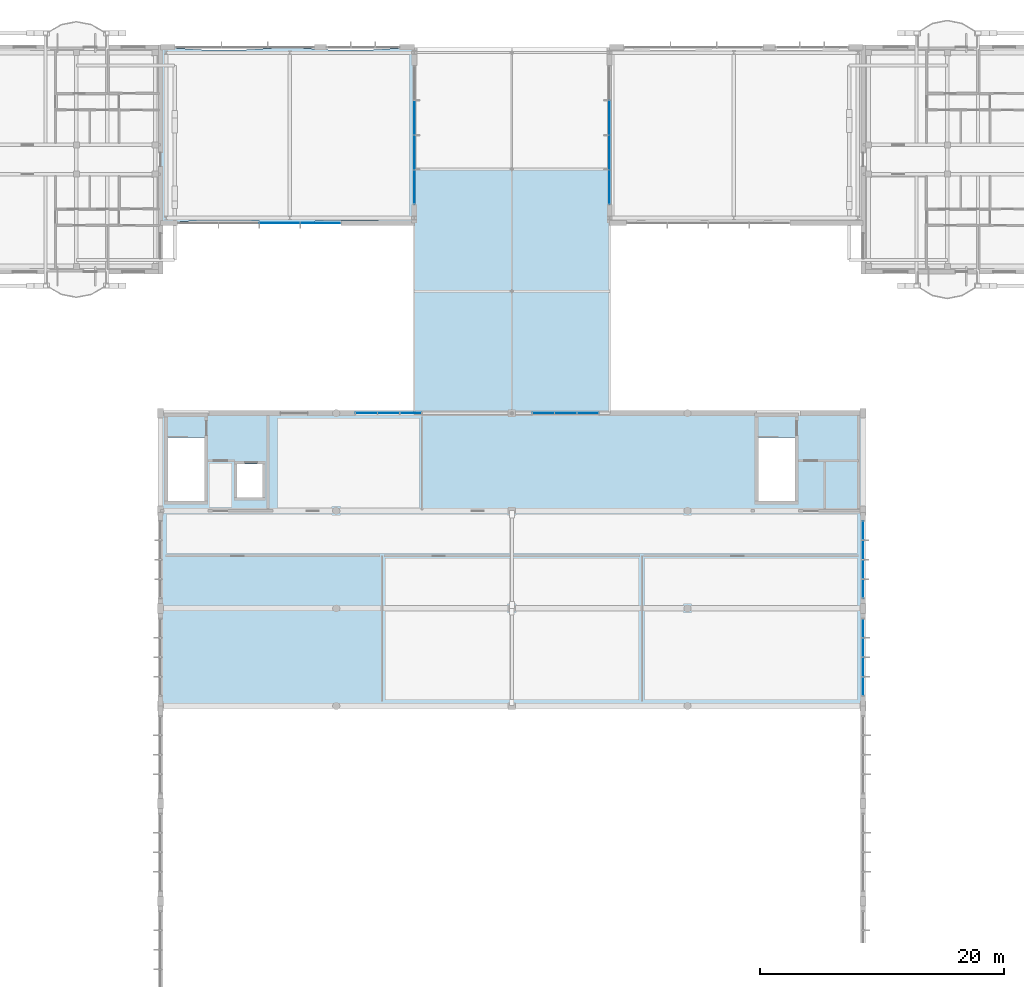
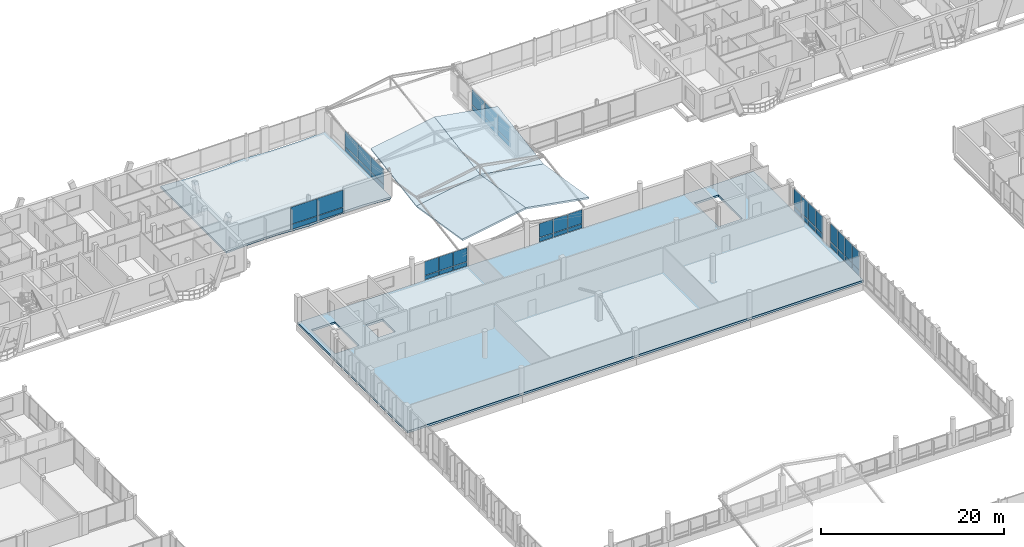
# One storey, part 129 of 189: 44 plates, 6 slabs, 7 elements without a shape of their own.
"""IFC4 building model written with IfcOpenShell, lengths in metres."""

from ifc_helpers import new_model, si_unit, direction, frame, origin, origin_2d, place, context, subcontext, project, spatial, polyline, rectangle, outline, extrude, material, layer, layer_set, type_object, element, aggregate, save


model = new_model("IFC4")

# Units and contexts
model_context = context("Model", 3, precision=1e-05, world=origin(), true_north=direction((0.0, 1.0)))
body_context = subcontext(model_context, "Body", "Model", "MODEL_VIEW")
ifc_project = project(units=[si_unit("LENGTHUNIT", "METRE"), si_unit("AREAUNIT", "SQUARE_METRE"), si_unit("VOLUMEUNIT", "CUBIC_METRE"), si_unit("PLANEANGLEUNIT", "RADIAN"), si_unit("MASSUNIT", "GRAM", prefix="KILO")], contexts=[model_context])

# Site, building, storey
site_placement = place(None, origin())
site = spatial("IfcSite", under=ifc_project, at=site_placement, CompositionType="ELEMENT")
building_placement = place(site_placement, origin())
building = spatial("IfcBuilding", under=site, at=building_placement, Name="Zavelmont Quarter", CompositionType="ELEMENT")
storey_placement = place(building_placement, frame((0.0, 0.0, 4.39990234375)))
storey = spatial("IfcBuildingStorey", under=building, at=storey_placement, Name="L01", CompositionType="ELEMENT", Elevation=4.39990234375)

# Curtain wall, plates
ifc_material_1 = material(Name="Thermally broken aluminium and double low-E safety glazing", Category="aluminium")
curtain_wall_type_1 = type_object("IfcCurtainWallType", Name="CW-640X314", PredefinedType="NOTDEFINED", material=ifc_material_1)
curtain_wall_1_placement = place(storey_placement, origin())
curtain_wall_1 = element("IfcCurtainWall", 1, at=curtain_wall_1_placement, inside=storey, type_object=curtain_wall_type_1, Name="L01 unitised curtain wall CW-640X314", PredefinedType="NOTDEFINED")
ifc_material_2 = material(Name="Insulated anodised-aluminium spandrel panel", Category="aluminium")
ifc_layer_1 = layer(ifc_material_2, 0.0400390625)
ifc_layer_set_1 = layer_set([ifc_layer_1], Name="Insulated anodised-aluminium spandrel panel")
plate_type_1 = type_object("IfcPlateType", Name="CWP-SPD-1495X650", PredefinedType="CURTAIN_PANEL", material=ifc_layer_set_1)
plate_1_placement = place(storey_placement, frame((112.800048828125, 71.617431640625, 0.070068359375), z_axis=(0.0, 0.0, 1.0), x_axis=(0.0, 1.0, 0.0)))
plate_1 = element("IfcPlate", 2, at=plate_1_placement, type_object=plate_type_1, Name="CW-640X314 panel 1.1", PredefinedType="CURTAIN_PANEL", context=body_context, shape_type="SweptSolid", body=[
    extrude(rectangle(XDim=1.4951171875, YDim=0.0400390625, at=origin_2d()), origin(), (0.0, 0.0, 1.0), 0.64990234375),
])
plate_2_placement = place(storey_placement, frame((112.800048828125, 76.382568359375, 0.070068359375), z_axis=(0.0, 0.0, 1.0), x_axis=(0.0, 1.0, 0.0)))
plate_2 = element("IfcPlate", 3, at=plate_2_placement, type_object=plate_type_1, Name="CW-640X314 panel 4.1", PredefinedType="CURTAIN_PANEL", context=body_context, shape_type="SweptSolid", body=[
    extrude(rectangle(XDim=1.4951171875, YDim=0.0400390625, at=origin_2d()), origin(), (0.0, 0.0, 1.0), 0.64990234375),
])

curtain_wall_type_2 = type_object("IfcCurtainWallType", Name="CW-640X334", PredefinedType="NOTDEFINED", material=ifc_material_1)
curtain_wall_2_placement = place(storey_placement, origin())
curtain_wall_2 = element("IfcCurtainWall", 4, at=curtain_wall_2_placement, inside=storey, type_object=curtain_wall_type_2, Name="L01 unitised curtain wall CW-640X334", PredefinedType="NOTDEFINED")
ifc_layer_2 = layer(ifc_material_2, 0.0400390625)
ifc_layer_set_2 = layer_set([ifc_layer_2], Name="Insulated anodised-aluminium spandrel panel")
plate_type_2 = type_object("IfcPlateType", Name="CWP-SPD-1495X695", PredefinedType="CURTAIN_PANEL", material=ifc_layer_set_2)
plate_3_placement = place(storey_placement, frame((112.800048828125, 63.617431640625, 0.0703125), z_axis=(0.0, 0.0, 1.0), x_axis=(0.0, 1.0, 0.0)))
plate_3 = element("IfcPlate", 5, at=plate_3_placement, type_object=plate_type_2, Name="CW-640X334 panel 1.1", PredefinedType="CURTAIN_PANEL", context=body_context, shape_type="SweptSolid", body=[
    extrude(rectangle(XDim=1.4951171875, YDim=0.0400390625, at=origin_2d()), origin(), (0.0, 0.0, 1.0), 0.697021484375),
])
plate_4_placement = place(storey_placement, frame((112.800048828125, 68.382568359375, 0.0703125), z_axis=(0.0, 0.0, 1.0), x_axis=(0.0, 1.0, 0.0)))
plate_4 = element("IfcPlate", 6, at=plate_4_placement, type_object=plate_type_2, Name="CW-640X334 panel 4.1", PredefinedType="CURTAIN_PANEL", context=body_context, shape_type="SweptSolid", body=[
    extrude(rectangle(XDim=1.4951171875, YDim=0.0400390625, at=origin_2d()), origin(), (0.0, 0.0, 1.0), 0.697021484375),
])

# Plate
ifc_layer_3 = layer(ifc_material_2, 0.0400390625)
ifc_layer_set_3 = layer_set([ifc_layer_3], Name="Insulated anodised-aluminium spandrel panel")
plate_type_3 = type_object("IfcPlateType", Name="CWP-SPD-1530X650", PredefinedType="CURTAIN_PANEL", material=ifc_layer_set_3)
plate_5_placement = place(storey_placement, frame((112.800048828125, 73.199951171875, 0.070068359375), z_axis=(0.0, 0.0, 1.0), x_axis=(0.0, 1.0, 0.0)))
plate_5 = element("IfcPlate", 7, at=plate_5_placement, type_object=plate_type_3, Name="CW-640X314 panel 2.1", PredefinedType="CURTAIN_PANEL", context=body_context, shape_type="SweptSolid", body=[
    extrude(rectangle(XDim=1.530029296875, YDim=0.0400390625, at=origin_2d()), origin(), (0.0, 0.0, 1.0), 0.64990234375),
])

plate_6_placement = place(storey_placement, frame((112.800048828125, 74.800048828125, 0.070068359375), z_axis=(0.0, 0.0, 1.0), x_axis=(0.0, 1.0, 0.0)))
plate_6 = element("IfcPlate", 8, at=plate_6_placement, type_object=plate_type_3, Name="CW-640X314 panel 3.1", PredefinedType="CURTAIN_PANEL", context=body_context, shape_type="SweptSolid", body=[
    extrude(rectangle(XDim=1.530029296875, YDim=0.0400390625, at=origin_2d()), origin(), (0.0, 0.0, 1.0), 0.64990234375),
])

ifc_layer_4 = layer(ifc_material_2, 0.0400390625)
ifc_layer_set_4 = layer_set([ifc_layer_4], Name="Insulated anodised-aluminium spandrel panel")
plate_type_4 = type_object("IfcPlateType", Name="CWP-SPD-1530X695", PredefinedType="CURTAIN_PANEL", material=ifc_layer_set_4)
plate_7_placement = place(storey_placement, frame((112.800048828125, 65.199951171875, 0.0703125), z_axis=(0.0, 0.0, 1.0), x_axis=(0.0, 1.0, 0.0)))
plate_7 = element("IfcPlate", 9, at=plate_7_placement, type_object=plate_type_4, Name="CW-640X334 panel 2.1", PredefinedType="CURTAIN_PANEL", context=body_context, shape_type="SweptSolid", body=[
    extrude(rectangle(XDim=1.530029296875, YDim=0.0400390625, at=origin_2d()), origin(), (0.0, 0.0, 1.0), 0.697021484375),
])

plate_8_placement = place(storey_placement, frame((112.800048828125, 66.800048828125, 0.0703125), z_axis=(0.0, 0.0, 1.0), x_axis=(0.0, 1.0, 0.0)))
plate_8 = element("IfcPlate", 10, at=plate_8_placement, type_object=plate_type_4, Name="CW-640X334 panel 3.1", PredefinedType="CURTAIN_PANEL", context=body_context, shape_type="SweptSolid", body=[
    extrude(rectangle(XDim=1.530029296875, YDim=0.0400390625, at=origin_2d()), origin(), (0.0, 0.0, 1.0), 0.697021484375),
])

# Curtain wall, plates
curtain_wall_type_3 = type_object("IfcCurtainWallType", Name="CW-550X254", PredefinedType="NOTDEFINED", material=ifc_material_1)
curtain_wall_3_placement = place(storey_placement, origin())
curtain_wall_3 = element("IfcCurtainWall", 11, at=curtain_wall_3_placement, inside=storey, type_object=curtain_wall_type_3, Name="L01 unitised curtain wall CW-550X254", PredefinedType="NOTDEFINED")
ifc_layer_5 = layer(ifc_material_2, 0.0400390625)
ifc_layer_set_5 = layer_set([ifc_layer_5], Name="Insulated anodised-aluminium spandrel panel")
plate_type_5 = type_object("IfcPlateType", Name="CWP-SPD-1745X520", PredefinedType="CURTAIN_PANEL", material=ifc_layer_set_5)
plate_9_placement = place(storey_placement, frame((72.081787109375, 86.0, 0.06005859375), z_axis=(0.0, 0.0, 1.0), x_axis=(1.0, 0.0, 0.0)))
plate_9 = element("IfcPlate", 12, at=plate_9_placement, type_object=plate_type_5, Name="CW-550X254 panel 1.1", PredefinedType="CURTAIN_PANEL", context=body_context, shape_type="SweptSolid", body=[
    extrude(rectangle(XDim=1.743408203125, YDim=0.0400390625, at=origin_2d()), origin(), (0.0, 0.0, 1.0), 0.52099609375),
])
plate_10_placement = place(storey_placement, frame((75.71826171875, 86.0, 0.06005859375), z_axis=(0.0, 0.0, 1.0), x_axis=(1.0, 0.0, 0.0)))
plate_10 = element("IfcPlate", 13, at=plate_10_placement, type_object=plate_type_5, Name="CW-550X254 panel 3.1", PredefinedType="CURTAIN_PANEL", context=body_context, shape_type="SweptSolid", body=[
    extrude(rectangle(XDim=1.743408203125, YDim=0.0400390625, at=origin_2d()), origin(), (0.0, 0.0, 1.0), 0.52099609375),
])

curtain_wall_4_placement = place(storey_placement, origin())
curtain_wall_4 = element("IfcCurtainWall", 14, at=curtain_wall_4_placement, inside=storey, type_object=curtain_wall_type_3, Name="L01 unitised curtain wall CW-550X254", PredefinedType="NOTDEFINED")
plate_11_placement = place(storey_placement, frame((86.581787109375, 86.0, 0.06005859375), z_axis=(0.0, 0.0, 1.0), x_axis=(1.0, 0.0, 0.0)))
plate_11 = element("IfcPlate", 15, at=plate_11_placement, type_object=plate_type_5, Name="CW-550X254 panel 1.1", PredefinedType="CURTAIN_PANEL", context=body_context, shape_type="SweptSolid", body=[
    extrude(rectangle(XDim=1.743408203125, YDim=0.0400390625, at=origin_2d()), origin(), (0.0, 0.0, 1.0), 0.52099609375),
])
plate_12_placement = place(storey_placement, frame((90.21826171875, 86.0, 0.06005859375), z_axis=(0.0, 0.0, 1.0), x_axis=(1.0, 0.0, 0.0)))
plate_12 = element("IfcPlate", 16, at=plate_12_placement, type_object=plate_type_5, Name="CW-550X254 panel 3.1", PredefinedType="CURTAIN_PANEL", context=body_context, shape_type="SweptSolid", body=[
    extrude(rectangle(XDim=1.743408203125, YDim=0.0400390625, at=origin_2d()), origin(), (0.0, 0.0, 1.0), 0.52099609375),
])

# Plate
ifc_layer_6 = layer(ifc_material_2, 0.0400390625)
ifc_layer_set_6 = layer_set([ifc_layer_6], Name="Insulated anodised-aluminium spandrel panel")
plate_type_6 = type_object("IfcPlateType", Name="CWP-SPD-1775X520", PredefinedType="CURTAIN_PANEL", material=ifc_layer_set_6)
plate_13_placement = place(storey_placement, frame((73.89990234375, 86.0, 0.06005859375), z_axis=(0.0, 0.0, 1.0), x_axis=(1.0, 0.0, 0.0)))
plate_13 = element("IfcPlate", 17, at=plate_13_placement, type_object=plate_type_6, Name="CW-550X254 panel 2.1", PredefinedType="CURTAIN_PANEL", context=body_context, shape_type="SweptSolid", body=[
    extrude(rectangle(XDim=1.7734375, YDim=0.0400390625, at=origin_2d()), origin(), (0.0, 0.0, 1.0), 0.52099609375),
])

plate_14_placement = place(storey_placement, frame((88.39990234375, 86.0, 0.06005859375), z_axis=(0.0, 0.0, 1.0), x_axis=(1.0, 0.0, 0.0)))
plate_14 = element("IfcPlate", 18, at=plate_14_placement, type_object=plate_type_6, Name="CW-550X254 panel 2.1", PredefinedType="CURTAIN_PANEL", context=body_context, shape_type="SweptSolid", body=[
    extrude(rectangle(XDim=1.7734375, YDim=0.0400390625, at=origin_2d()), origin(), (0.0, 0.0, 1.0), 0.52099609375),
])

# Curtain wall, plate
curtain_wall_type_4 = type_object("IfcCurtainWallType", Name="CW-1140X280", PredefinedType="NOTDEFINED", material=ifc_material_1)
curtain_wall_5_placement = place(storey_placement, origin())
curtain_wall_5 = element("IfcCurtainWall", 19, at=curtain_wall_5_placement, inside=storey, type_object=curtain_wall_type_4, Name="L01 unitised curtain wall CW-1140X280", PredefinedType="NOTDEFINED")
ifc_layer_7 = layer(ifc_material_2, 0.0400390625)
ifc_layer_set_7 = layer_set([ifc_layer_7], Name="Insulated anodised-aluminium spandrel panel")
plate_type_7 = type_object("IfcPlateType", Name="CWP-SPD-2760X580", PredefinedType="CURTAIN_PANEL", material=ifc_layer_set_7)
plate_15_placement = place(storey_placement, frame((76.0, 104.5400390625, 0.06005859375), z_axis=(0.0, 0.0, 1.0), x_axis=(0.0, 1.0, 0.0)))
plate_15 = element("IfcPlate", 20, at=plate_15_placement, type_object=plate_type_7, Name="CW-1140X280 panel 1.1", PredefinedType="CURTAIN_PANEL", context=body_context, shape_type="SweptSolid", body=[
    extrude(rectangle(XDim=2.760009765625, YDim=0.0400390625, at=origin_2d()), origin(), (0.0, 0.0, 1.0), 0.58203125),
])

curtain_wall_6_placement = place(storey_placement, origin())
curtain_wall_6 = element("IfcCurtainWall", 21, at=curtain_wall_6_placement, inside=storey, type_object=curtain_wall_type_4, Name="L01 unitised curtain wall CW-1140X280", PredefinedType="NOTDEFINED")
plate_16_placement = place(storey_placement, frame((92.0, 104.5400390625, 0.06005859375), z_axis=(0.0, 0.0, 1.0), x_axis=(0.0, 1.0, 0.0)))
plate_16 = element("IfcPlate", 22, at=plate_16_placement, type_object=plate_type_7, Name="CW-1140X280 panel 1.1", PredefinedType="CURTAIN_PANEL", context=body_context, shape_type="SweptSolid", body=[
    extrude(rectangle(XDim=2.760009765625, YDim=0.0400390625, at=origin_2d()), origin(), (0.0, 0.0, 1.0), 0.58203125),
])

# Plate
ifc_layer_8 = layer(ifc_material_2, 0.0400390625)
ifc_layer_set_8 = layer_set([ifc_layer_8], Name="Insulated anodised-aluminium spandrel panel")
plate_type_8 = type_object("IfcPlateType", Name="CWP-SPD-2790X580", PredefinedType="CURTAIN_PANEL", material=ifc_layer_set_8)
plate_17_placement = place(storey_placement, frame((76.0, 107.375, 0.06005859375), z_axis=(0.0, 0.0, 1.0), x_axis=(0.0, 1.0, 0.0)))
plate_17 = element("IfcPlate", 23, at=plate_17_placement, type_object=plate_type_8, Name="CW-1140X280 panel 2.1", PredefinedType="CURTAIN_PANEL", context=body_context, shape_type="SweptSolid", body=[
    extrude(rectangle(XDim=2.7900390625, YDim=0.0400390625, at=origin_2d()), origin(), (0.0, 0.0, 1.0), 0.58203125),
])

plate_18_placement = place(storey_placement, frame((76.0, 110.22509765625, 0.06005859375), z_axis=(0.0, 0.0, 1.0), x_axis=(0.0, 1.0, 0.0)))
plate_18 = element("IfcPlate", 24, at=plate_18_placement, type_object=plate_type_8, Name="CW-1140X280 panel 3.1", PredefinedType="CURTAIN_PANEL", context=body_context, shape_type="SweptSolid", body=[
    extrude(rectangle(XDim=2.7900390625, YDim=0.0400390625, at=origin_2d()), origin(), (0.0, 0.0, 1.0), 0.58203125),
])

plate_19_placement = place(storey_placement, frame((92.0, 107.375, 0.06005859375), z_axis=(0.0, 0.0, 1.0), x_axis=(0.0, 1.0, 0.0)))
plate_19 = element("IfcPlate", 25, at=plate_19_placement, type_object=plate_type_8, Name="CW-1140X280 panel 2.1", PredefinedType="CURTAIN_PANEL", context=body_context, shape_type="SweptSolid", body=[
    extrude(rectangle(XDim=2.7900390625, YDim=0.0400390625, at=origin_2d()), origin(), (0.0, 0.0, 1.0), 0.58203125),
])

plate_20_placement = place(storey_placement, frame((92.0, 110.22509765625, 0.06005859375), z_axis=(0.0, 0.0, 1.0), x_axis=(0.0, 1.0, 0.0)))
plate_20 = element("IfcPlate", 26, at=plate_20_placement, type_object=plate_type_8, Name="CW-1140X280 panel 3.1", PredefinedType="CURTAIN_PANEL", context=body_context, shape_type="SweptSolid", body=[
    extrude(rectangle(XDim=2.7900390625, YDim=0.0400390625, at=origin_2d()), origin(), (0.0, 0.0, 1.0), 0.58203125),
])

# Curtain wall, plates
curtain_wall_type_5 = type_object("IfcCurtainWallType", Name="CW-1340X310", PredefinedType="NOTDEFINED", material=ifc_material_1)
curtain_wall_7_placement = place(storey_placement, origin())
curtain_wall_7 = element("IfcCurtainWall", 27, at=curtain_wall_7_placement, inside=storey, type_object=curtain_wall_type_5, Name="L01 unitised curtain wall CW-1340X310", PredefinedType="NOTDEFINED")
ifc_layer_9 = layer(ifc_material_2, 0.0400390625)
ifc_layer_set_9 = layer_set([ifc_layer_9], Name="Insulated anodised-aluminium spandrel panel")
plate_type_9 = type_object("IfcPlateType", Name="CWP-SPD-3260X655", PredefinedType="CURTAIN_PANEL", material=ifc_layer_set_9)
plate_21_placement = place(storey_placement, frame((68.31005859375, 101.60009765625, 0.06005859375), z_axis=(0.0, 0.0, 1.0), x_axis=(1.0, 0.0, 0.0)))
plate_21 = element("IfcPlate", 28, at=plate_21_placement, type_object=plate_type_9, Name="CW-1340X310 panel 4.1", PredefinedType="CURTAIN_PANEL", context=body_context, shape_type="SweptSolid", body=[
    extrude(rectangle(XDim=3.260009765625, YDim=0.0400390625, at=origin_2d()), origin(), (0.0, 0.0, 1.0), 0.654052734375),
])
ifc_layer_10 = layer(ifc_material_2, 0.0400390625)
ifc_layer_set_10 = layer_set([ifc_layer_10], Name="Insulated anodised-aluminium spandrel panel")
plate_type_10 = type_object("IfcPlateType", Name="CWP-SPD-3290X655", PredefinedType="CURTAIN_PANEL", material=ifc_layer_set_10)
plate_22_placement = place(storey_placement, frame((64.97509765625, 101.60009765625, 0.06005859375), z_axis=(0.0, 0.0, 1.0), x_axis=(1.0, 0.0, 0.0)))
plate_22 = element("IfcPlate", 29, at=plate_22_placement, type_object=plate_type_10, Name="CW-1340X310 panel 3.1", PredefinedType="CURTAIN_PANEL", context=body_context, shape_type="SweptSolid", body=[
    extrude(rectangle(XDim=3.2900390625, YDim=0.0400390625, at=origin_2d()), origin(), (0.0, 0.0, 1.0), 0.654052734375),
])

# Plate
ifc_material_3 = material(Name="Double low-E insulated vision glass", Category="glass")
ifc_layer_11 = layer(ifc_material_3, 0.028076171875)
ifc_layer_set_11 = layer_set([ifc_layer_11], Name="Double low-E insulated vision glass")
plate_type_11 = type_object("IfcPlateType", Name="CWP-VIS-1495X2285", PredefinedType="CURTAIN_PANEL", material=ifc_layer_set_11)
plate_23_placement = place(storey_placement, frame((112.800048828125, 71.617431640625, 0.7900390625), z_axis=(0.0, 0.0, 1.0), x_axis=(0.0, 1.0, 0.0)))
plate_23 = element("IfcPlate", 30, at=plate_23_placement, type_object=plate_type_11, Name="CW-640X314 panel 1.2", PredefinedType="CURTAIN_PANEL", context=body_context, shape_type="SweptSolid", body=[
    extrude(rectangle(XDim=1.4951171875, YDim=0.028076171875, at=origin_2d()), origin(), (0.0, 0.0, 1.0), 2.284912109375),
])

plate_24_placement = place(storey_placement, frame((112.800048828125, 76.382568359375, 0.7900390625), z_axis=(0.0, 0.0, 1.0), x_axis=(0.0, 1.0, 0.0)))
plate_24 = element("IfcPlate", 31, at=plate_24_placement, type_object=plate_type_11, Name="CW-640X314 panel 4.2", PredefinedType="CURTAIN_PANEL", context=body_context, shape_type="SweptSolid", body=[
    extrude(rectangle(XDim=1.4951171875, YDim=0.028076171875, at=origin_2d()), origin(), (0.0, 0.0, 1.0), 2.284912109375),
])

ifc_layer_12 = layer(ifc_material_3, 0.028076171875)
ifc_layer_set_12 = layer_set([ifc_layer_12], Name="Double low-E insulated vision glass")
plate_type_12 = type_object("IfcPlateType", Name="CWP-VIS-1495X2435", PredefinedType="CURTAIN_PANEL", material=ifc_layer_set_12)
plate_25_placement = place(storey_placement, frame((112.800048828125, 63.617431640625, 0.837158203125), z_axis=(0.0, 0.0, 1.0), x_axis=(0.0, 1.0, 0.0)))
plate_25 = element("IfcPlate", 32, at=plate_25_placement, type_object=plate_type_12, Name="CW-640X334 panel 1.2", PredefinedType="CURTAIN_PANEL", context=body_context, shape_type="SweptSolid", body=[
    extrude(rectangle(XDim=1.4951171875, YDim=0.028076171875, at=origin_2d()), origin(), (0.0, 0.0, 1.0), 2.43310546875),
])

plate_26_placement = place(storey_placement, frame((112.800048828125, 68.382568359375, 0.837158203125), z_axis=(0.0, 0.0, 1.0), x_axis=(0.0, 1.0, 0.0)))
plate_26 = element("IfcPlate", 33, at=plate_26_placement, type_object=plate_type_12, Name="CW-640X334 panel 4.2", PredefinedType="CURTAIN_PANEL", context=body_context, shape_type="SweptSolid", body=[
    extrude(rectangle(XDim=1.4951171875, YDim=0.028076171875, at=origin_2d()), origin(), (0.0, 0.0, 1.0), 2.43310546875),
])

ifc_layer_13 = layer(ifc_material_3, 0.028076171875)
ifc_layer_set_13 = layer_set([ifc_layer_13], Name="Double low-E insulated vision glass")
plate_type_13 = type_object("IfcPlateType", Name="CWP-VIS-1530X2285", PredefinedType="CURTAIN_PANEL", material=ifc_layer_set_13)
plate_27_placement = place(storey_placement, frame((112.800048828125, 73.199951171875, 0.7900390625), z_axis=(0.0, 0.0, 1.0), x_axis=(0.0, 1.0, 0.0)))
plate_27 = element("IfcPlate", 34, at=plate_27_placement, type_object=plate_type_13, Name="CW-640X314 panel 2.2", PredefinedType="CURTAIN_PANEL", context=body_context, shape_type="SweptSolid", body=[
    extrude(rectangle(XDim=1.530029296875, YDim=0.028076171875, at=origin_2d()), origin(), (0.0, 0.0, 1.0), 2.284912109375),
])

plate_28_placement = place(storey_placement, frame((112.800048828125, 74.800048828125, 0.7900390625), z_axis=(0.0, 0.0, 1.0), x_axis=(0.0, 1.0, 0.0)))
plate_28 = element("IfcPlate", 35, at=plate_28_placement, type_object=plate_type_13, Name="CW-640X314 panel 3.2", PredefinedType="CURTAIN_PANEL", context=body_context, shape_type="SweptSolid", body=[
    extrude(rectangle(XDim=1.530029296875, YDim=0.028076171875, at=origin_2d()), origin(), (0.0, 0.0, 1.0), 2.284912109375),
])

aggregate(curtain_wall_1, [plate_1, plate_23, plate_5, plate_27, plate_6, plate_28, plate_2, plate_24])

ifc_layer_14 = layer(ifc_material_3, 0.028076171875)
ifc_layer_set_14 = layer_set([ifc_layer_14], Name="Double low-E insulated vision glass")
plate_type_14 = type_object("IfcPlateType", Name="CWP-VIS-1530X2435", PredefinedType="CURTAIN_PANEL", material=ifc_layer_set_14)
plate_29_placement = place(storey_placement, frame((112.800048828125, 65.199951171875, 0.837158203125), z_axis=(0.0, 0.0, 1.0), x_axis=(0.0, 1.0, 0.0)))
plate_29 = element("IfcPlate", 36, at=plate_29_placement, type_object=plate_type_14, Name="CW-640X334 panel 2.2", PredefinedType="CURTAIN_PANEL", context=body_context, shape_type="SweptSolid", body=[
    extrude(rectangle(XDim=1.530029296875, YDim=0.028076171875, at=origin_2d()), origin(), (0.0, 0.0, 1.0), 2.43310546875),
])

plate_30_placement = place(storey_placement, frame((112.800048828125, 66.800048828125, 0.837158203125), z_axis=(0.0, 0.0, 1.0), x_axis=(0.0, 1.0, 0.0)))
plate_30 = element("IfcPlate", 37, at=plate_30_placement, type_object=plate_type_14, Name="CW-640X334 panel 3.2", PredefinedType="CURTAIN_PANEL", context=body_context, shape_type="SweptSolid", body=[
    extrude(rectangle(XDim=1.530029296875, YDim=0.028076171875, at=origin_2d()), origin(), (0.0, 0.0, 1.0), 2.43310546875),
])

aggregate(curtain_wall_2, [plate_3, plate_25, plate_7, plate_29, plate_8, plate_30, plate_4, plate_26])

ifc_layer_15 = layer(ifc_material_3, 0.028076171875)
ifc_layer_set_15 = layer_set([ifc_layer_15], Name="Double low-E insulated vision glass")
plate_type_15 = type_object("IfcPlateType", Name="CWP-VIS-1745X1845", PredefinedType="CURTAIN_PANEL", material=ifc_layer_set_15)
plate_31_placement = place(storey_placement, frame((72.081787109375, 86.0, 0.64111328125), z_axis=(0.0, 0.0, 1.0), x_axis=(1.0, 0.0, 0.0)))
plate_31 = element("IfcPlate", 38, at=plate_31_placement, type_object=plate_type_15, Name="CW-550X254 panel 1.2", PredefinedType="CURTAIN_PANEL", context=body_context, shape_type="SweptSolid", body=[
    extrude(rectangle(XDim=1.743408203125, YDim=0.028076171875, at=origin_2d()), origin(), (0.0, 0.0, 1.0), 1.843994140625),
])

plate_32_placement = place(storey_placement, frame((75.71826171875, 86.0, 0.64111328125), z_axis=(0.0, 0.0, 1.0), x_axis=(1.0, 0.0, 0.0)))
plate_32 = element("IfcPlate", 39, at=plate_32_placement, type_object=plate_type_15, Name="CW-550X254 panel 3.2", PredefinedType="CURTAIN_PANEL", context=body_context, shape_type="SweptSolid", body=[
    extrude(rectangle(XDim=1.743408203125, YDim=0.028076171875, at=origin_2d()), origin(), (0.0, 0.0, 1.0), 1.843994140625),
])

plate_33_placement = place(storey_placement, frame((86.581787109375, 86.0, 0.64111328125), z_axis=(0.0, 0.0, 1.0), x_axis=(1.0, 0.0, 0.0)))
plate_33 = element("IfcPlate", 40, at=plate_33_placement, type_object=plate_type_15, Name="CW-550X254 panel 1.2", PredefinedType="CURTAIN_PANEL", context=body_context, shape_type="SweptSolid", body=[
    extrude(rectangle(XDim=1.743408203125, YDim=0.028076171875, at=origin_2d()), origin(), (0.0, 0.0, 1.0), 1.843994140625),
])

plate_34_placement = place(storey_placement, frame((90.21826171875, 86.0, 0.64111328125), z_axis=(0.0, 0.0, 1.0), x_axis=(1.0, 0.0, 0.0)))
plate_34 = element("IfcPlate", 41, at=plate_34_placement, type_object=plate_type_15, Name="CW-550X254 panel 3.2", PredefinedType="CURTAIN_PANEL", context=body_context, shape_type="SweptSolid", body=[
    extrude(rectangle(XDim=1.743408203125, YDim=0.028076171875, at=origin_2d()), origin(), (0.0, 0.0, 1.0), 1.843994140625),
])

ifc_layer_16 = layer(ifc_material_3, 0.028076171875)
ifc_layer_set_16 = layer_set([ifc_layer_16], Name="Double low-E insulated vision glass")
plate_type_16 = type_object("IfcPlateType", Name="CWP-VIS-1775X1845", PredefinedType="CURTAIN_PANEL", material=ifc_layer_set_16)
plate_35_placement = place(storey_placement, frame((73.89990234375, 86.0, 0.64111328125), z_axis=(0.0, 0.0, 1.0), x_axis=(1.0, 0.0, 0.0)))
plate_35 = element("IfcPlate", 42, at=plate_35_placement, type_object=plate_type_16, Name="CW-550X254 panel 2.2", PredefinedType="CURTAIN_PANEL", context=body_context, shape_type="SweptSolid", body=[
    extrude(rectangle(XDim=1.7734375, YDim=0.028076171875, at=origin_2d()), origin(), (0.0, 0.0, 1.0), 1.843994140625),
])

aggregate(curtain_wall_3, [plate_9, plate_31, plate_13, plate_35, plate_10, plate_32])

plate_36_placement = place(storey_placement, frame((88.39990234375, 86.0, 0.64111328125), z_axis=(0.0, 0.0, 1.0), x_axis=(1.0, 0.0, 0.0)))
plate_36 = element("IfcPlate", 43, at=plate_36_placement, type_object=plate_type_16, Name="CW-550X254 panel 2.2", PredefinedType="CURTAIN_PANEL", context=body_context, shape_type="SweptSolid", body=[
    extrude(rectangle(XDim=1.7734375, YDim=0.028076171875, at=origin_2d()), origin(), (0.0, 0.0, 1.0), 1.843994140625),
])

aggregate(curtain_wall_4, [plate_11, plate_33, plate_14, plate_36, plate_12, plate_34])

ifc_layer_17 = layer(ifc_material_3, 0.028076171875)
ifc_layer_set_17 = layer_set([ifc_layer_17], Name="Double low-E insulated vision glass")
plate_type_17 = type_object("IfcPlateType", Name="CWP-VIS-2760X2040", PredefinedType="CURTAIN_PANEL", material=ifc_layer_set_17)
plate_37_placement = place(storey_placement, frame((76.0, 104.5400390625, 0.7021484375), z_axis=(0.0, 0.0, 1.0), x_axis=(0.0, 1.0, 0.0)))
plate_37 = element("IfcPlate", 44, at=plate_37_placement, type_object=plate_type_17, Name="CW-1140X280 panel 1.2", PredefinedType="CURTAIN_PANEL", context=body_context, shape_type="SweptSolid", body=[
    extrude(rectangle(XDim=2.760009765625, YDim=0.028076171875, at=origin_2d()), origin(), (0.0, 0.0, 1.0), 2.0380859375),
])

plate_38_placement = place(storey_placement, frame((92.0, 104.5400390625, 0.7021484375), z_axis=(0.0, 0.0, 1.0), x_axis=(0.0, 1.0, 0.0)))
plate_38 = element("IfcPlate", 45, at=plate_38_placement, type_object=plate_type_17, Name="CW-1140X280 panel 1.2", PredefinedType="CURTAIN_PANEL", context=body_context, shape_type="SweptSolid", body=[
    extrude(rectangle(XDim=2.760009765625, YDim=0.028076171875, at=origin_2d()), origin(), (0.0, 0.0, 1.0), 2.0380859375),
])

ifc_layer_18 = layer(ifc_material_3, 0.028076171875)
ifc_layer_set_18 = layer_set([ifc_layer_18], Name="Double low-E insulated vision glass")
plate_type_18 = type_object("IfcPlateType", Name="CWP-VIS-2790X2040", PredefinedType="CURTAIN_PANEL", material=ifc_layer_set_18)
plate_39_placement = place(storey_placement, frame((76.0, 107.375, 0.7021484375), z_axis=(0.0, 0.0, 1.0), x_axis=(0.0, 1.0, 0.0)))
plate_39 = element("IfcPlate", 46, at=plate_39_placement, type_object=plate_type_18, Name="CW-1140X280 panel 2.2", PredefinedType="CURTAIN_PANEL", context=body_context, shape_type="SweptSolid", body=[
    extrude(rectangle(XDim=2.7900390625, YDim=0.028076171875, at=origin_2d()), origin(), (0.0, 0.0, 1.0), 2.0380859375),
])

plate_40_placement = place(storey_placement, frame((76.0, 110.22509765625, 0.7021484375), z_axis=(0.0, 0.0, 1.0), x_axis=(0.0, 1.0, 0.0)))
plate_40 = element("IfcPlate", 47, at=plate_40_placement, type_object=plate_type_18, Name="CW-1140X280 panel 3.2", PredefinedType="CURTAIN_PANEL", context=body_context, shape_type="SweptSolid", body=[
    extrude(rectangle(XDim=2.7900390625, YDim=0.028076171875, at=origin_2d()), origin(), (0.0, 0.0, 1.0), 2.0380859375),
])

aggregate(curtain_wall_5, [plate_15, plate_37, plate_17, plate_39, plate_18, plate_40])

plate_41_placement = place(storey_placement, frame((92.0, 107.375, 0.7021484375), z_axis=(0.0, 0.0, 1.0), x_axis=(0.0, 1.0, 0.0)))
plate_41 = element("IfcPlate", 48, at=plate_41_placement, type_object=plate_type_18, Name="CW-1140X280 panel 2.2", PredefinedType="CURTAIN_PANEL", context=body_context, shape_type="SweptSolid", body=[
    extrude(rectangle(XDim=2.7900390625, YDim=0.028076171875, at=origin_2d()), origin(), (0.0, 0.0, 1.0), 2.0380859375),
])

plate_42_placement = place(storey_placement, frame((92.0, 110.22509765625, 0.7021484375), z_axis=(0.0, 0.0, 1.0), x_axis=(0.0, 1.0, 0.0)))
plate_42 = element("IfcPlate", 49, at=plate_42_placement, type_object=plate_type_18, Name="CW-1140X280 panel 3.2", PredefinedType="CURTAIN_PANEL", context=body_context, shape_type="SweptSolid", body=[
    extrude(rectangle(XDim=2.7900390625, YDim=0.028076171875, at=origin_2d()), origin(), (0.0, 0.0, 1.0), 2.0380859375),
])

aggregate(curtain_wall_6, [plate_16, plate_38, plate_19, plate_41, plate_20, plate_42])

ifc_layer_19 = layer(ifc_material_3, 0.028076171875)
ifc_layer_set_19 = layer_set([ifc_layer_19], Name="Double low-E insulated vision glass")
plate_type_19 = type_object("IfcPlateType", Name="CWP-VIS-3260X2265", PredefinedType="CURTAIN_PANEL", material=ifc_layer_set_19)
plate_43_placement = place(storey_placement, frame((68.31005859375, 101.60009765625, 0.77392578125), z_axis=(0.0, 0.0, 1.0), x_axis=(1.0, 0.0, 0.0)))
plate_43 = element("IfcPlate", 50, at=plate_43_placement, type_object=plate_type_19, Name="CW-1340X310 panel 4.2", PredefinedType="CURTAIN_PANEL", context=body_context, shape_type="SweptSolid", body=[
    extrude(rectangle(XDim=3.260009765625, YDim=0.028076171875, at=origin_2d()), origin(), (0.0, 0.0, 1.0), 2.26611328125),
])

ifc_layer_20 = layer(ifc_material_3, 0.028076171875)
ifc_layer_set_20 = layer_set([ifc_layer_20], Name="Double low-E insulated vision glass")
plate_type_20 = type_object("IfcPlateType", Name="CWP-VIS-3290X2265", PredefinedType="CURTAIN_PANEL", material=ifc_layer_set_20)
plate_44_placement = place(storey_placement, frame((64.97509765625, 101.60009765625, 0.77392578125), z_axis=(0.0, 0.0, 1.0), x_axis=(1.0, 0.0, 0.0)))
plate_44 = element("IfcPlate", 51, at=plate_44_placement, type_object=plate_type_20, Name="CW-1340X310 panel 3.2", PredefinedType="CURTAIN_PANEL", context=body_context, shape_type="SweptSolid", body=[
    extrude(rectangle(XDim=3.2900390625, YDim=0.028076171875, at=origin_2d()), origin(), (0.0, 0.0, 1.0), 2.26611328125),
])

aggregate(curtain_wall_7, [plate_22, plate_44, plate_21, plate_43])

# Slabs
ifc_material_4 = material(Name="Concrete C35/45", Category="concrete")
ifc_layer_21 = layer(ifc_material_4, 0.2099609375)
ifc_layer_set_21 = layer_set([ifc_layer_21], Name="Concrete C35/45")
slab_type_1 = type_object("IfcSlabType", Name="PSE4", PredefinedType="ROOF", material=ifc_layer_set_21)
slab_1_placement = place(storey_placement, frame((84.0, 86.0, 5.22509765625), z_axis=(0.171571548155, 0.158017662267, 0.972416383179), x_axis=(0.984788990656, 0.0, -0.17375455068)))
element("IfcSlab", 52, at=slab_1_placement, inside=storey, type_object=slab_type_1, Name="Sloped clerestory roof PSE4", PredefinedType="ROOF", context=body_context, shape_type="SweptSolid", body=[
    extrude(outline(polyline([(0.0, 0.0), (8.143896415723395, 0.0), (8.426247560578698, 10.127235695440236), (0.28235114485530316, 10.127235695440236), (0.0, 0.0)])), origin(), (0.0, 0.0, -1.0), 0.2099609375),
])
ifc_layer_22 = layer(ifc_material_4, 0.2099609375)
ifc_layer_set_22 = layer_set([ifc_layer_22], Name="Concrete C35/45")
slab_type_2 = type_object("IfcSlabType", Name="PSE5", PredefinedType="ROOF", material=ifc_layer_set_22)
slab_2_placement = place(storey_placement, frame((84.0, 96.0, 3.60009765625), z_axis=(0.171571548155, -0.158017662267, 0.972416383179), x_axis=(0.984788990656, 0.0, -0.17375455068)))
element("IfcSlab", 53, at=slab_2_placement, inside=storey, type_object=slab_type_2, Name="Sloped clerestory roof PSE5", PredefinedType="ROOF", context=body_context, shape_type="SweptSolid", body=[
    extrude(outline(polyline([(0.0, 0.0), (8.143896415723395, 0.0), (7.861545270868091, 10.127235695440236), (-0.28235114485530316, 10.127235695440236), (0.0, 0.0)])), origin(), (0.0, 0.0, -1.0), 0.2099609375),
])
ifc_layer_23 = layer(ifc_material_4, 0.2099609375)
ifc_layer_set_23 = layer_set([ifc_layer_23], Name="Concrete C35/45")
slab_type_3 = type_object("IfcSlabType", Name="PSW4", PredefinedType="ROOF", material=ifc_layer_set_23)
slab_3_placement = place(storey_placement, frame((75.97998046875, 86.0, 3.81005859375), z_axis=(-0.171571548155, 0.158017662267, 0.972416383179), x_axis=(0.984788990656, 0.0, 0.17375455068)))
element("IfcSlab", 54, at=slab_3_placement, inside=storey, type_object=slab_type_3, Name="Sloped clerestory roof PSW4", PredefinedType="ROOF", context=body_context, shape_type="SweptSolid", body=[
    extrude(outline(polyline([(0.0, 0.0), (8.143896415723395, 0.0), (7.861545270868091, 10.127235695440236), (-0.28235114485530316, 10.127235695440236), (0.0, 0.0)])), origin(), (0.0, 0.0, -1.0), 0.2099609375),
])
ifc_layer_24 = layer(ifc_material_4, 0.2099609375)
ifc_layer_set_24 = layer_set([ifc_layer_24], Name="Concrete C35/45")
slab_type_4 = type_object("IfcSlabType", Name="PSW5", PredefinedType="ROOF", material=ifc_layer_set_24)
slab_4_placement = place(storey_placement, frame((75.97998046875, 96.0, 2.18505859375), z_axis=(-0.171571548155, -0.158017662267, 0.972416383179), x_axis=(0.984788990656, 0.0, 0.17375455068)))
element("IfcSlab", 55, at=slab_4_placement, inside=storey, type_object=slab_type_4, Name="Sloped clerestory roof PSW5", PredefinedType="ROOF", context=body_context, shape_type="SweptSolid", body=[
    extrude(outline(polyline([(0.0, 0.0), (8.143896415723395, 0.0), (8.426247560578698, 10.127235695440236), (0.28235114485530316, 10.127235695440236), (0.0, 0.0)])), origin(), (0.0, 0.0, -1.0), 0.2099609375),
])
ifc_material_5 = material(Name="Concrete C40/50", Category="concrete")
ifc_layer_25 = layer(ifc_material_5, 0.280029296875)
ifc_layer_set_25 = layer_set([ifc_layer_25], Name="Concrete C40/50")
slab_type_5 = type_object("IfcSlabType", Name="SL-FL280", PredefinedType="FLOOR", material=ifc_layer_set_25)
slab_5_placement = place(storey_placement, frame((0.0, 0.0, -0.27978515625)))
element("IfcSlab", 56, at=slab_5_placement, inside=storey, type_object=slab_type_5, Name="L01 North-West Street Arcade Wing L01 gallery floor SL-FL280", PredefinedType="FLOOR", context=body_context, shape_type="SweptSolid", body=[
    extrude(outline(polyline([(55.199951171875, 101.60009765625), (58.666748046875, 101.81005859375), (62.13330078125, 101.81005859375), (65.60009765625, 101.60009765625), (69.066650390625, 101.81005859375), (72.533203125, 101.81005859375), (76.0, 101.60009765625), (76.0, 105.199951171875), (76.0, 108.800048828125), (76.0, 112.39990234375), (76.0, 116.0), (72.533203125, 115.7900390625), (69.066650390625, 115.7900390625), (65.60009765625, 116.0), (62.13330078125, 115.7900390625), (58.666748046875, 115.7900390625), (55.199951171875, 116.0), (55.199951171875, 112.39990234375), (55.199951171875, 108.800048828125), (55.199951171875, 105.199951171875), (55.199951171875, 101.60009765625)])), origin(), (0.0, 0.0, 1.0), 0.27978515625),
])
slab_6_placement = place(storey_placement, frame((0.0, 0.0, -0.27978515625)))
element("IfcSlab", 57, at=slab_6_placement, inside=storey, type_object=slab_type_5, Name="L01 Community Hall mezzanine slab SL-FL280", PredefinedType="FLOOR", context=body_context, shape_type="SweptSolid", body=[
    extrude(outline(polyline([(55.199951171875, 62.0), (112.800048828125, 62.0), (112.800048828125, 86.0), (55.199951171875, 86.0), (55.199951171875, 62.0)]), holes=[polyline([(55.800048828125, 84.02490234375), (55.800048828125, 78.800048828125), (58.800048828125, 78.800048828125), (58.800048828125, 84.02490234375), (55.800048828125, 84.02490234375)]), polyline([(61.449951171875, 79.10009765625), (63.550048828125, 79.10009765625), (63.550048828125, 81.85009765625), (61.449951171875, 81.85009765625), (61.449951171875, 79.10009765625)]), polyline([(104.199951171875, 84.02490234375), (104.199951171875, 78.800048828125), (107.199951171875, 78.800048828125), (107.199951171875, 84.02490234375), (104.199951171875, 84.02490234375)])]), origin(), (0.0, 0.0, 1.0), 0.27978515625),
])

save(model, "model.ifc")
